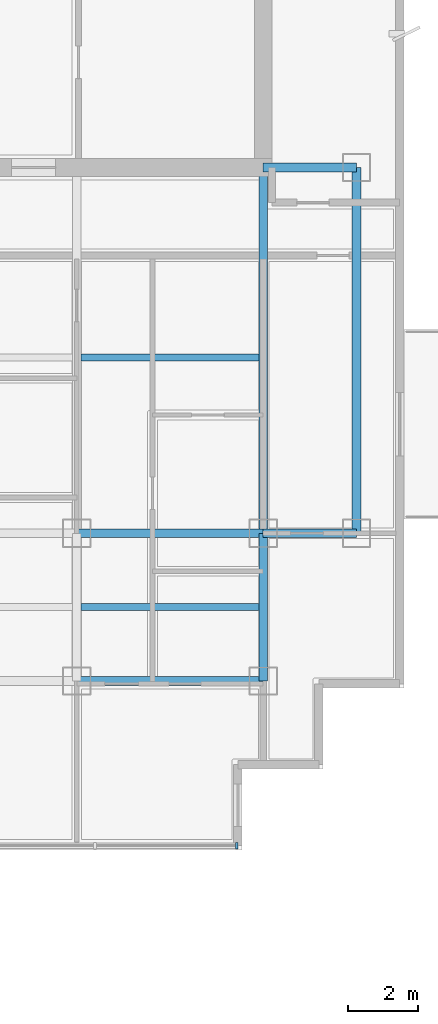
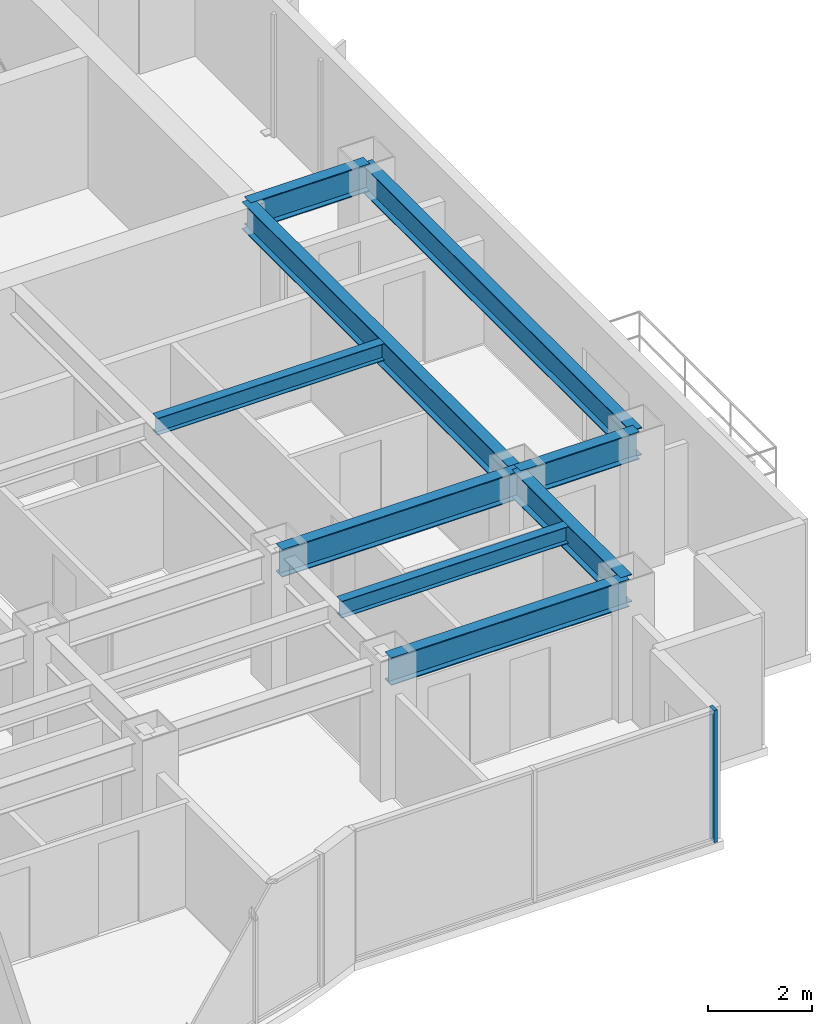
# One storey, part 4 of 11: 9 beams, 1 member, 1 element without a shape of its own.
"""IFC4 building model written with IfcOpenShell, lengths in metres."""

from ifc_helpers import new_model, si_unit, direction, frame, origin, origin_2d, place, context, subcontext, project, spatial, rectangle, i_section, extrude, source, transform, mapped, material, layer, layer_set, material_profile, profile_set, type_object, element, aggregate, save


model = new_model("IFC4")

# Units and contexts
model_context = context("Model", 3, precision=1e-05, world=origin(), true_north=direction((0.0, 1.0)))
body_context = subcontext(model_context, "Body", "Model", "MODEL_VIEW")
ifc_project = project(units=[si_unit("LENGTHUNIT", "METRE"), si_unit("AREAUNIT", "SQUARE_METRE"), si_unit("VOLUMEUNIT", "CUBIC_METRE"), si_unit("PLANEANGLEUNIT", "RADIAN"), si_unit("MASSUNIT", "GRAM", prefix="KILO")], contexts=[model_context])

# Site, building, storey
site_placement = place(None, origin())
site = spatial("IfcSite", under=ifc_project, at=site_placement, CompositionType="ELEMENT")
building_placement = place(site_placement, origin())
building = spatial("IfcBuilding", under=site, at=building_placement, Name="Qianlan Lanfeng Residences", CompositionType="ELEMENT")
storey_placement = place(building_placement, frame((0.0, 0.0, 206.60009765625)))
storey = spatial("IfcBuildingStorey", under=building, at=storey_placement, Name="L56", CompositionType="ELEMENT", Elevation=206.60009765625)

# Beams
ifc_material_1 = material(Name="Steel SN490B", Category="steel")
ifc_material_profile_1 = material_profile(ifc_material_1, i_section(OverallWidth=0.25, OverallDepth=0.64990234375, WebThickness=0.012939453125, FlangeThickness=0.02197265625, at=origin_2d()), Name="H 650x250x13x22")
ifc_profile_set_1 = profile_set([ifc_material_profile_1], Name="Steel SN490B")
beam_type_1 = type_object("IfcBeamType", Name="G-650", PredefinedType="BEAM", material=ifc_profile_set_1)
for number, where, z_axis, x_axis, name in (
    (1, (37.10009765625, 10.60009765625, 2.784912109375), (1.0, 0.0, 0.0), (0.0, 1.0, 0.0), "Structural beam G-650"),
    (2, (37.10009765625, 14.800048828125, 2.784912109375), (1.0, 0.0, 0.0), (0.0, 1.0, 0.0), "Structural beam G-650"),
):
    element("IfcBeam", number, at=place(storey_placement, frame(where, z_axis=z_axis, x_axis=x_axis)), inside=storey, type_object=beam_type_1, Name=name, PredefinedType="BEAM", context=body_context, shape_type="SweptSolid", body=[
        extrude(i_section(OverallWidth=0.25, OverallDepth=0.64990234375, WebThickness=0.012939453125, FlangeThickness=0.02197265625, at=origin_2d()), origin(), (0.0, 0.0, 1.0), 5.2998046875),
    ])
for number, where, z_axis, x_axis, name in (
    (3, (42.39990234375, 14.800048828125, 2.784912109375), (1.0, 0.0, 0.0), (0.0, 1.0, 0.0), "Structural beam G-650"),
    (4, (42.39990234375, 25.199951171875, 2.784912109375), (1.0, 0.0, 0.0), (0.0, 1.0, 0.0), "Structural beam G-650"),
):
    element("IfcBeam", number, at=place(storey_placement, frame(where, z_axis=z_axis, x_axis=x_axis)), inside=storey, type_object=beam_type_1, Name=name, PredefinedType="BEAM", context=body_context, shape_type="SweptSolid", body=[
        extrude(i_section(OverallWidth=0.25, OverallDepth=0.64990234375, WebThickness=0.012939453125, FlangeThickness=0.02197265625, at=origin_2d()), origin(), (0.0, 0.0, 1.0), 2.650146484375),
    ])
beam_1_placement = place(storey_placement, frame((42.39990234375, 10.60009765625, 2.784912109375), z_axis=(0.0, 1.0, 0.0), x_axis=(-1.0, 0.0, 0.0)))
element("IfcBeam", 5, at=beam_1_placement, inside=storey, type_object=beam_type_1, Name="Structural beam G-650", PredefinedType="BEAM", context=body_context, shape_type="SweptSolid", body=[
    extrude(i_section(OverallWidth=0.25, OverallDepth=0.64990234375, WebThickness=0.012939453125, FlangeThickness=0.02197265625, at=origin_2d()), origin(), (0.0, 0.0, 1.0), 4.199951171875),
])
beam_2_placement = place(storey_placement, frame((42.39990234375, 14.800048828125, 2.784912109375), z_axis=(0.0, 1.0, 0.0), x_axis=(-1.0, 0.0, 0.0)))
element("IfcBeam", 6, at=beam_2_placement, inside=storey, type_object=beam_type_1, Name="Structural beam G-650", PredefinedType="BEAM", context=body_context, shape_type="SweptSolid", body=[
    extrude(i_section(OverallWidth=0.25, OverallDepth=0.64990234375, WebThickness=0.012939453125, FlangeThickness=0.02197265625, at=origin_2d()), origin(), (0.0, 0.0, 1.0), 10.39990234375),
])
ifc_material_profile_2 = material_profile(ifc_material_1, i_section(OverallWidth=0.199951171875, OverallDepth=0.39990234375, WebThickness=0.008056640625, FlangeThickness=0.012939453125, at=origin_2d()), Name="H 400x200x8x13")
ifc_profile_set_2 = profile_set([ifc_material_profile_2], Name="Steel SN490B")
beam_type_2 = type_object("IfcBeamType", Name="J-400", PredefinedType="JOIST", material=ifc_profile_set_2)
for number, where, z_axis, x_axis, name in (
    (7, (37.22509765625, 12.699951171875, 2.909912109375), (1.0, 0.0, 0.0), (0.0, 1.0, 0.0), "Structural beam J-400"),
    (8, (37.22509765625, 19.800048828125, 2.909912109375), (1.0, 0.0, 0.0), (0.0, 1.0, 0.0), "Structural beam J-400"),
):
    element("IfcBeam", number, at=place(storey_placement, frame(where, z_axis=z_axis, x_axis=x_axis)), inside=storey, type_object=beam_type_2, Name=name, PredefinedType="JOIST", context=body_context, shape_type="SweptSolid", body=[
        extrude(i_section(OverallWidth=0.199951171875, OverallDepth=0.39990234375, WebThickness=0.008056640625, FlangeThickness=0.012939453125, at=origin_2d()), origin(), (0.0, 0.0, 1.0), 5.0498046875),
    ])
ifc_material_profile_3 = material_profile(ifc_material_1, i_section(OverallWidth=0.25, OverallDepth=0.64990234375, WebThickness=0.012939453125, FlangeThickness=0.02197265625, at=origin_2d()), Name="H 650x250x13x22")
ifc_profile_set_3 = profile_set([ifc_material_profile_3], Name="Steel SN490B")
beam_type_3 = type_object("IfcBeamType", Name="SG-650", PredefinedType="SPANDREL", material=ifc_profile_set_3)
beam_3_placement = place(storey_placement, frame((45.050048828125, 14.800048828125, 2.764892578125), z_axis=(0.0, 1.0, 0.0), x_axis=(-1.0, 0.0, 0.0)))
element("IfcBeam", 9, at=beam_3_placement, inside=storey, type_object=beam_type_3, Name="Structural beam SG-650", PredefinedType="SPANDREL", context=body_context, shape_type="SweptSolid", body=[
    extrude(i_section(OverallWidth=0.25, OverallDepth=0.64990234375, WebThickness=0.012939453125, FlangeThickness=0.02197265625, at=origin_2d()), origin(), (0.0, 0.0, 1.0), 10.39990234375),
])

# Curtain wall, member
ifc_material_2 = material(Name="Anodised Bronze Aluminium 6063-T6", Category="aluminium")
ifc_layer = layer(ifc_material_2, 0.219970703125)
ifc_layer_set = layer_set([ifc_layer], Name="Anodised Bronze Aluminium 6063-T6")
curtain_wall_type = type_object("IfcCurtainWallType", Name="CW-05", PredefinedType="NOTDEFINED", material=ifc_layer_set)
curtain_wall_placement = place(storey_placement, origin())
curtain_wall = element("IfcCurtainWall", 10, at=curtain_wall_placement, inside=storey, type_object=curtain_wall_type, Name="L56 Unitised Curtain Wall CWR-L56-04 (CW-05)", PredefinedType="NOTDEFINED")
ifc_material_profile_4 = material_profile(ifc_material_2, rectangle(XDim=0.074951171875, YDim=0.179931640625, at=origin_2d()), Name="ALU MULLION 75x180")
ifc_profile_set_4 = profile_set([ifc_material_profile_4], Name="Anodised Bronze Aluminium 6063-T6")
member_type = type_object("IfcMemberType", Name="CWM-180", PredefinedType="MULLION", material=ifc_profile_set_4)
shared_shape = source(origin(), body_context, "Body", "SweptSolid", [
    extrude(rectangle(XDim=0.074951171875, YDim=0.179931640625, at=origin_2d()), origin(), (0.0, 0.0, 1.0), 3.10986328125),
])
member_placement = place(storey_placement, frame((41.642578125, 5.919921875, 0.0), z_axis=(0.0, 0.0, 1.0), x_axis=(1.0, 0.0, 0.0)))
member = element("IfcMember", 11, at=member_placement, type_object=member_type, Name="CWR-L56-04 Mullion 3", PredefinedType="MULLION", context=body_context, shape_type="MappedRepresentation", body=[
    mapped(shared_shape, transform((0.0, 0.0, 0.0), scale=1.0)),
])
aggregate(curtain_wall, [member])

save(model, "model.ifc")
